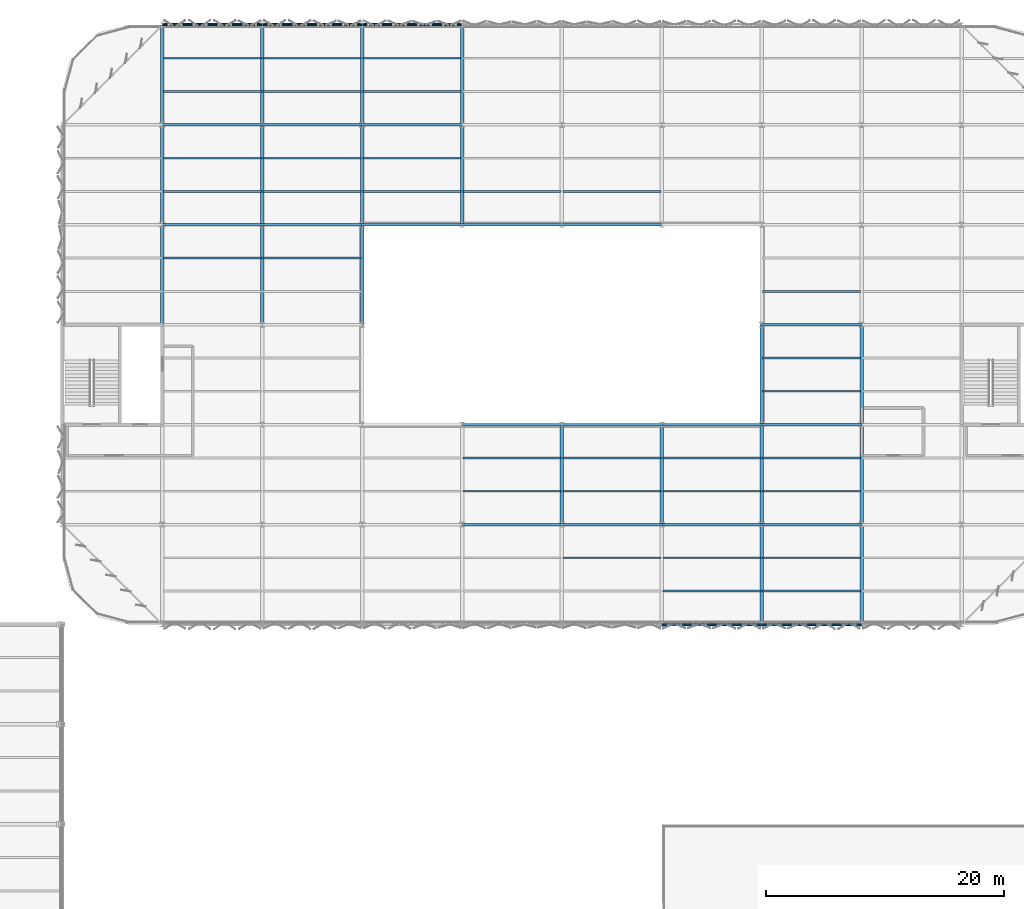
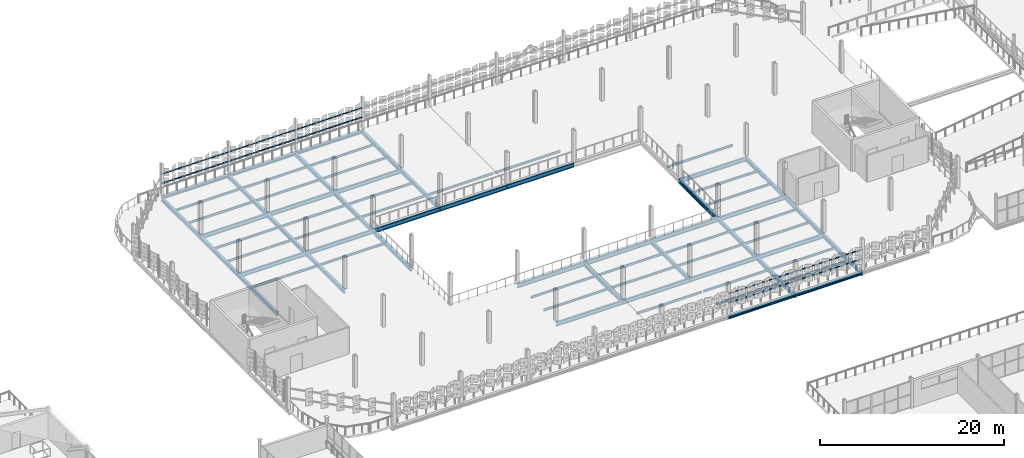
# One storey, part 116 of 184: 83 beams.
"""IFC4 building model written with IfcOpenShell, lengths in metres."""

from ifc_helpers import new_model, si_unit, direction, frame, origin, origin_2d, place, context, subcontext, project, spatial, hollow_rectangle, i_section, extrude, material, material_profile, profile_set, type_object, element, save


model = new_model("IFC4")

# Units and contexts
model_context = context("Model", 3, precision=1e-05, world=origin(), true_north=direction((0.0, 1.0)))
body_context = subcontext(model_context, "Body", "Model", "MODEL_VIEW")
ifc_project = project(units=[si_unit("LENGTHUNIT", "METRE"), si_unit("AREAUNIT", "SQUARE_METRE"), si_unit("VOLUMEUNIT", "CUBIC_METRE"), si_unit("PLANEANGLEUNIT", "RADIAN"), si_unit("MASSUNIT", "GRAM", prefix="KILO")], contexts=[model_context])

# Site, building, storey
site_placement = place(None, origin())
site = spatial("IfcSite", under=ifc_project, at=site_placement, CompositionType="ELEMENT")
building_placement = place(site_placement, origin())
building = spatial("IfcBuilding", under=site, at=building_placement, Name="Qalvenar Corner Mobility Hub", CompositionType="ELEMENT")
storey_placement = place(building_placement, frame((0.0, 0.0, 9.0)))
storey = spatial("IfcBuildingStorey", under=building, at=storey_placement, Name="L02", CompositionType="ELEMENT", Elevation=9.0)

# Beams
ifc_material = material(Name="Steel S355", Category="steel")
ifc_material_profile_1 = material_profile(ifc_material, i_section(OverallWidth=0.300048828125, OverallDepth=0.489990234375, WebThickness=0.011962890625, FlangeThickness=0.02294921875, FilletRadius=0.027099609375, at=origin_2d()), Name="HEA500")
ifc_profile_set_1 = profile_set([ifc_material_profile_1], Name="Steel S355")
beam_type_1 = type_object("IfcBeamType", Name="BM-HEA500", PredefinedType="BEAM", material=ifc_profile_set_1)
beam_1_placement = place(storey_placement, frame((67.199951171875, 92.39990234375, -0.485107421875), z_axis=(0.0, 1.0, 0.0), x_axis=(-1.0, 0.0, 0.0)))
element("IfcBeam", 1, at=beam_1_placement, inside=storey, type_object=beam_type_1, Name="Primary Steel Girder GY-1971", PredefinedType="BEAM", context=body_context, shape_type="SweptSolid", body=[
    extrude(i_section(OverallWidth=0.300048828125, OverallDepth=0.489990234375, WebThickness=0.011962890625, FlangeThickness=0.02294921875, FilletRadius=0.027099609375, at=origin_2d()), origin(), (0.0, 0.0, 1.0), 8.400146484375),
])
beam_2_placement = place(storey_placement, frame((67.199951171875, 100.800048828125, -0.485107421875), z_axis=(0.0, 1.0, 0.0), x_axis=(-1.0, 0.0, 0.0)))
element("IfcBeam", 2, at=beam_2_placement, inside=storey, type_object=beam_type_1, Name="Primary Steel Girder GY-1972", PredefinedType="BEAM", context=body_context, shape_type="SweptSolid", body=[
    extrude(i_section(OverallWidth=0.300048828125, OverallDepth=0.489990234375, WebThickness=0.011962890625, FlangeThickness=0.02294921875, FilletRadius=0.027099609375, at=origin_2d()), origin(), (0.0, 0.0, 1.0), 8.39990234375),
])
for number, where, z_axis, x_axis, name in (
    (3, (67.199951171875, 109.199951171875, -0.485107421875), (0.0, 1.0, 0.0), (-1.0, 0.0, 0.0), "Primary Steel Girder GY-1973"),
    (4, (75.60009765625, 92.39990234375, -0.485107421875), (0.0, 1.0, 0.0), (-1.0, 0.0, 0.0), "Primary Steel Girder GY-1977"),
):
    element("IfcBeam", number, at=place(storey_placement, frame(where, z_axis=z_axis, x_axis=x_axis)), inside=storey, type_object=beam_type_1, Name=name, PredefinedType="BEAM", context=body_context, shape_type="SweptSolid", body=[
        extrude(i_section(OverallWidth=0.300048828125, OverallDepth=0.489990234375, WebThickness=0.011962890625, FlangeThickness=0.02294921875, FilletRadius=0.027099609375, at=origin_2d()), origin(), (0.0, 0.0, 1.0), 8.400146484375),
    ])
beam_3_placement = place(storey_placement, frame((75.60009765625, 100.800048828125, -0.485107421875), z_axis=(0.0, 1.0, 0.0), x_axis=(-1.0, 0.0, 0.0)))
element("IfcBeam", 5, at=beam_3_placement, inside=storey, type_object=beam_type_1, Name="Primary Steel Girder GY-1978", PredefinedType="BEAM", context=body_context, shape_type="SweptSolid", body=[
    extrude(i_section(OverallWidth=0.300048828125, OverallDepth=0.489990234375, WebThickness=0.011962890625, FlangeThickness=0.02294921875, FilletRadius=0.027099609375, at=origin_2d()), origin(), (0.0, 0.0, 1.0), 8.39990234375),
])
for number, where, z_axis, x_axis, name in (
    (6, (75.60009765625, 109.199951171875, -0.485107421875), (0.0, 1.0, 0.0), (-1.0, 0.0, 0.0), "Primary Steel Girder GY-1979"),
    (7, (84.0, 92.39990234375, -0.485107421875), (0.0, 1.0, 0.0), (-1.0, 0.0, 0.0), "Primary Steel Girder GY-1983"),
):
    element("IfcBeam", number, at=place(storey_placement, frame(where, z_axis=z_axis, x_axis=x_axis)), inside=storey, type_object=beam_type_1, Name=name, PredefinedType="BEAM", context=body_context, shape_type="SweptSolid", body=[
        extrude(i_section(OverallWidth=0.300048828125, OverallDepth=0.489990234375, WebThickness=0.011962890625, FlangeThickness=0.02294921875, FilletRadius=0.027099609375, at=origin_2d()), origin(), (0.0, 0.0, 1.0), 8.400146484375),
    ])
beam_4_placement = place(storey_placement, frame((84.0, 100.800048828125, -0.485107421875), z_axis=(0.0, 1.0, 0.0), x_axis=(-1.0, 0.0, 0.0)))
element("IfcBeam", 8, at=beam_4_placement, inside=storey, type_object=beam_type_1, Name="Primary Steel Girder GY-1984", PredefinedType="BEAM", context=body_context, shape_type="SweptSolid", body=[
    extrude(i_section(OverallWidth=0.300048828125, OverallDepth=0.489990234375, WebThickness=0.011962890625, FlangeThickness=0.02294921875, FilletRadius=0.027099609375, at=origin_2d()), origin(), (0.0, 0.0, 1.0), 8.39990234375),
])
beam_5_placement = place(storey_placement, frame((84.0, 109.199951171875, -0.485107421875), z_axis=(0.0, 1.0, 0.0), x_axis=(-1.0, 0.0, 0.0)))
element("IfcBeam", 9, at=beam_5_placement, inside=storey, type_object=beam_type_1, Name="Primary Steel Girder GY-1985", PredefinedType="BEAM", context=body_context, shape_type="SweptSolid", body=[
    extrude(i_section(OverallWidth=0.300048828125, OverallDepth=0.489990234375, WebThickness=0.011962890625, FlangeThickness=0.02294921875, FilletRadius=0.027099609375, at=origin_2d()), origin(), (0.0, 0.0, 1.0), 8.400146484375),
])
beam_6_placement = place(storey_placement, frame((92.39990234375, 100.800048828125, -0.485107421875), z_axis=(0.0, 1.0, 0.0), x_axis=(-1.0, 0.0, 0.0)))
element("IfcBeam", 10, at=beam_6_placement, inside=storey, type_object=beam_type_1, Name="Primary Steel Girder GY-1988", PredefinedType="BEAM", context=body_context, shape_type="SweptSolid", body=[
    extrude(i_section(OverallWidth=0.300048828125, OverallDepth=0.489990234375, WebThickness=0.011962890625, FlangeThickness=0.02294921875, FilletRadius=0.027099609375, at=origin_2d()), origin(), (0.0, 0.0, 1.0), 8.39990234375),
])
beam_7_placement = place(storey_placement, frame((92.39990234375, 109.199951171875, -0.485107421875), z_axis=(0.0, 1.0, 0.0), x_axis=(-1.0, 0.0, 0.0)))
element("IfcBeam", 11, at=beam_7_placement, inside=storey, type_object=beam_type_1, Name="Primary Steel Girder GY-1989", PredefinedType="BEAM", context=body_context, shape_type="SweptSolid", body=[
    extrude(i_section(OverallWidth=0.300048828125, OverallDepth=0.489990234375, WebThickness=0.011962890625, FlangeThickness=0.02294921875, FilletRadius=0.027099609375, at=origin_2d()), origin(), (0.0, 0.0, 1.0), 8.400146484375),
])
for number, where, z_axis, x_axis, name in (
    (12, (100.800048828125, 75.60009765625, -0.485107421875), (0.0, 1.0, 0.0), (-1.0, 0.0, 0.0), "Primary Steel Girder GY-1991"),
    (13, (109.199951171875, 75.60009765625, -0.485107421875), (0.0, 1.0, 0.0), (-1.0, 0.0, 0.0), "Primary Steel Girder GY-1995"),
):
    element("IfcBeam", number, at=place(storey_placement, frame(where, z_axis=z_axis, x_axis=x_axis)), inside=storey, type_object=beam_type_1, Name=name, PredefinedType="BEAM", context=body_context, shape_type="SweptSolid", body=[
        extrude(i_section(OverallWidth=0.300048828125, OverallDepth=0.489990234375, WebThickness=0.011962890625, FlangeThickness=0.02294921875, FilletRadius=0.027099609375, at=origin_2d()), origin(), (0.0, 0.0, 1.0), 8.39990234375),
    ])
beam_8_placement = place(storey_placement, frame((117.60009765625, 67.199951171875, -0.485107421875), z_axis=(0.0, 1.0, 0.0), x_axis=(-1.0, 0.0, 0.0)))
element("IfcBeam", 14, at=beam_8_placement, inside=storey, type_object=beam_type_1, Name="Primary Steel Girder GY-1998", PredefinedType="BEAM", context=body_context, shape_type="SweptSolid", body=[
    extrude(i_section(OverallWidth=0.300048828125, OverallDepth=0.489990234375, WebThickness=0.011962890625, FlangeThickness=0.02294921875, FilletRadius=0.027099609375, at=origin_2d()), origin(), (0.0, 0.0, 1.0), 8.400146484375),
])
for number, where, z_axis, x_axis, name in (
    (15, (117.60009765625, 75.60009765625, -0.485107421875), (0.0, 1.0, 0.0), (-1.0, 0.0, 0.0), "Primary Steel Girder GY-1999"),
    (16, (117.60009765625, 84.0, -0.485107421875), (0.0, 1.0, 0.0), (-1.0, 0.0, 0.0), "Primary Steel Girder GY-2000"),
):
    element("IfcBeam", number, at=place(storey_placement, frame(where, z_axis=z_axis, x_axis=x_axis)), inside=storey, type_object=beam_type_1, Name=name, PredefinedType="BEAM", context=body_context, shape_type="SweptSolid", body=[
        extrude(i_section(OverallWidth=0.300048828125, OverallDepth=0.489990234375, WebThickness=0.011962890625, FlangeThickness=0.02294921875, FilletRadius=0.027099609375, at=origin_2d()), origin(), (0.0, 0.0, 1.0), 8.39990234375),
    ])
beam_9_placement = place(storey_placement, frame((126.0, 67.199951171875, -0.485107421875), z_axis=(0.0, 1.0, 0.0), x_axis=(-1.0, 0.0, 0.0)))
element("IfcBeam", 17, at=beam_9_placement, inside=storey, type_object=beam_type_1, Name="Primary Steel Girder GY-2004", PredefinedType="BEAM", context=body_context, shape_type="SweptSolid", body=[
    extrude(i_section(OverallWidth=0.300048828125, OverallDepth=0.489990234375, WebThickness=0.011962890625, FlangeThickness=0.02294921875, FilletRadius=0.027099609375, at=origin_2d()), origin(), (0.0, 0.0, 1.0), 8.400146484375),
])
for number, where, z_axis, x_axis, name in (
    (18, (126.0, 75.60009765625, -0.485107421875), (0.0, 1.0, 0.0), (-1.0, 0.0, 0.0), "Primary Steel Girder GY-2005"),
    (19, (126.0, 84.0, -0.485107421875), (0.0, 1.0, 0.0), (-1.0, 0.0, 0.0), "Primary Steel Girder GY-2006"),
):
    element("IfcBeam", number, at=place(storey_placement, frame(where, z_axis=z_axis, x_axis=x_axis)), inside=storey, type_object=beam_type_1, Name=name, PredefinedType="BEAM", context=body_context, shape_type="SweptSolid", body=[
        extrude(i_section(OverallWidth=0.300048828125, OverallDepth=0.489990234375, WebThickness=0.011962890625, FlangeThickness=0.02294921875, FilletRadius=0.027099609375, at=origin_2d()), origin(), (0.0, 0.0, 1.0), 8.39990234375),
    ])
ifc_material_profile_2 = material_profile(ifc_material, i_section(OverallWidth=0.2099609375, OverallDepth=0.550048828125, WebThickness=0.010986328125, FlangeThickness=0.01708984375, FilletRadius=0.02392578125, at=origin_2d()), Name="IPE550")
ifc_profile_set_2 = profile_set([ifc_material_profile_2], Name="Steel S355")
beam_type_2 = type_object("IfcBeamType", Name="BM-IPE550", PredefinedType="BEAM", material=ifc_profile_set_2)
beam_10_placement = place(storey_placement, frame((92.39990234375, 75.60009765625, -0.514892578125), z_axis=(1.0, 0.0, 0.0), x_axis=(0.0, 1.0, 0.0)))
element("IfcBeam", 20, at=beam_10_placement, inside=storey, type_object=beam_type_2, Name="Primary Steel Girder GX-1914", PredefinedType="BEAM", context=body_context, shape_type="SweptSolid", body=[
    extrude(i_section(OverallWidth=0.2099609375, OverallDepth=0.550048828125, WebThickness=0.010986328125, FlangeThickness=0.01708984375, FilletRadius=0.02392578125, at=origin_2d()), origin(), (0.0, 0.0, 1.0), 8.400146484375),
])
beam_11_placement = place(storey_placement, frame((100.800048828125, 75.60009765625, -0.514892578125), z_axis=(1.0, 0.0, 0.0), x_axis=(0.0, 1.0, 0.0)))
element("IfcBeam", 21, at=beam_11_placement, inside=storey, type_object=beam_type_2, Name="Primary Steel Girder GX-1915", PredefinedType="BEAM", context=body_context, shape_type="SweptSolid", body=[
    extrude(i_section(OverallWidth=0.2099609375, OverallDepth=0.550048828125, WebThickness=0.010986328125, FlangeThickness=0.01708984375, FilletRadius=0.02392578125, at=origin_2d()), origin(), (0.0, 0.0, 1.0), 8.39990234375),
])
beam_12_placement = place(storey_placement, frame((109.199951171875, 75.60009765625, -0.514892578125), z_axis=(1.0, 0.0, 0.0), x_axis=(0.0, 1.0, 0.0)))
element("IfcBeam", 22, at=beam_12_placement, inside=storey, type_object=beam_type_2, Name="Primary Steel Girder GX-1916", PredefinedType="BEAM", context=body_context, shape_type="SweptSolid", body=[
    extrude(i_section(OverallWidth=0.2099609375, OverallDepth=0.550048828125, WebThickness=0.010986328125, FlangeThickness=0.01708984375, FilletRadius=0.02392578125, at=origin_2d()), origin(), (0.0, 0.0, 1.0), 8.400146484375),
])
beam_13_placement = place(storey_placement, frame((117.60009765625, 75.60009765625, -0.514892578125), z_axis=(1.0, 0.0, 0.0), x_axis=(0.0, 1.0, 0.0)))
element("IfcBeam", 23, at=beam_13_placement, inside=storey, type_object=beam_type_2, Name="Primary Steel Girder GX-1917", PredefinedType="BEAM", context=body_context, shape_type="SweptSolid", body=[
    extrude(i_section(OverallWidth=0.2099609375, OverallDepth=0.550048828125, WebThickness=0.010986328125, FlangeThickness=0.01708984375, FilletRadius=0.02392578125, at=origin_2d()), origin(), (0.0, 0.0, 1.0), 8.39990234375),
])
beam_14_placement = place(storey_placement, frame((92.39990234375, 84.0, -0.514892578125), z_axis=(1.0, 0.0, 0.0), x_axis=(0.0, 1.0, 0.0)))
element("IfcBeam", 24, at=beam_14_placement, inside=storey, type_object=beam_type_2, Name="Primary Steel Girder GX-1924", PredefinedType="BEAM", context=body_context, shape_type="SweptSolid", body=[
    extrude(i_section(OverallWidth=0.2099609375, OverallDepth=0.550048828125, WebThickness=0.010986328125, FlangeThickness=0.01708984375, FilletRadius=0.02392578125, at=origin_2d()), origin(), (0.0, 0.0, 1.0), 8.400146484375),
])
beam_15_placement = place(storey_placement, frame((100.800048828125, 84.0, -0.514892578125), z_axis=(1.0, 0.0, 0.0), x_axis=(0.0, 1.0, 0.0)))
element("IfcBeam", 25, at=beam_15_placement, inside=storey, type_object=beam_type_2, Name="Primary Steel Girder GX-1925", PredefinedType="BEAM", context=body_context, shape_type="SweptSolid", body=[
    extrude(i_section(OverallWidth=0.2099609375, OverallDepth=0.550048828125, WebThickness=0.010986328125, FlangeThickness=0.01708984375, FilletRadius=0.02392578125, at=origin_2d()), origin(), (0.0, 0.0, 1.0), 8.39990234375),
])
beam_16_placement = place(storey_placement, frame((109.199951171875, 84.0, -0.514892578125), z_axis=(1.0, 0.0, 0.0), x_axis=(0.0, 1.0, 0.0)))
element("IfcBeam", 26, at=beam_16_placement, inside=storey, type_object=beam_type_2, Name="Primary Steel Girder GX-1926", PredefinedType="BEAM", context=body_context, shape_type="SweptSolid", body=[
    extrude(i_section(OverallWidth=0.2099609375, OverallDepth=0.550048828125, WebThickness=0.010986328125, FlangeThickness=0.01708984375, FilletRadius=0.02392578125, at=origin_2d()), origin(), (0.0, 0.0, 1.0), 8.400146484375),
])
for number, where, z_axis, x_axis, name in (
    (27, (117.60009765625, 84.0, -0.514892578125), (1.0, 0.0, 0.0), (0.0, 1.0, 0.0), "Primary Steel Girder GX-1927"),
    (28, (117.60009765625, 92.39990234375, -0.514892578125), (1.0, 0.0, 0.0), (0.0, 1.0, 0.0), "Primary Steel Girder GX-1933"),
):
    element("IfcBeam", number, at=place(storey_placement, frame(where, z_axis=z_axis, x_axis=x_axis)), inside=storey, type_object=beam_type_2, Name=name, PredefinedType="BEAM", context=body_context, shape_type="SweptSolid", body=[
        extrude(i_section(OverallWidth=0.2099609375, OverallDepth=0.550048828125, WebThickness=0.010986328125, FlangeThickness=0.01708984375, FilletRadius=0.02392578125, at=origin_2d()), origin(), (0.0, 0.0, 1.0), 8.39990234375),
    ])
beam_17_placement = place(storey_placement, frame((67.199951171875, 100.800048828125, -0.514892578125), z_axis=(1.0, 0.0, 0.0), x_axis=(0.0, 1.0, 0.0)))
element("IfcBeam", 29, at=beam_17_placement, inside=storey, type_object=beam_type_2, Name="Primary Steel Girder GX-1937", PredefinedType="BEAM", context=body_context, shape_type="SweptSolid", body=[
    extrude(i_section(OverallWidth=0.2099609375, OverallDepth=0.550048828125, WebThickness=0.010986328125, FlangeThickness=0.01708984375, FilletRadius=0.02392578125, at=origin_2d()), origin(), (0.0, 0.0, 1.0), 8.400146484375),
])
for number, where, z_axis, x_axis, name in (
    (30, (75.60009765625, 100.800048828125, -0.514892578125), (1.0, 0.0, 0.0), (0.0, 1.0, 0.0), "Primary Steel Girder GX-1938"),
    (31, (84.0, 100.800048828125, -0.514892578125), (1.0, 0.0, 0.0), (0.0, 1.0, 0.0), "Primary Steel Girder GX-1939"),
):
    element("IfcBeam", number, at=place(storey_placement, frame(where, z_axis=z_axis, x_axis=x_axis)), inside=storey, type_object=beam_type_2, Name=name, PredefinedType="BEAM", context=body_context, shape_type="SweptSolid", body=[
        extrude(i_section(OverallWidth=0.2099609375, OverallDepth=0.550048828125, WebThickness=0.010986328125, FlangeThickness=0.01708984375, FilletRadius=0.02392578125, at=origin_2d()), origin(), (0.0, 0.0, 1.0), 8.39990234375),
    ])
beam_18_placement = place(storey_placement, frame((92.39990234375, 100.800048828125, -0.514892578125), z_axis=(1.0, 0.0, 0.0), x_axis=(0.0, 1.0, 0.0)))
element("IfcBeam", 32, at=beam_18_placement, inside=storey, type_object=beam_type_2, Name="Primary Steel Girder GX-1940", PredefinedType="BEAM", context=body_context, shape_type="SweptSolid", body=[
    extrude(i_section(OverallWidth=0.2099609375, OverallDepth=0.550048828125, WebThickness=0.010986328125, FlangeThickness=0.01708984375, FilletRadius=0.02392578125, at=origin_2d()), origin(), (0.0, 0.0, 1.0), 8.400146484375),
])
beam_19_placement = place(storey_placement, frame((100.800048828125, 100.800048828125, -0.514892578125), z_axis=(1.0, 0.0, 0.0), x_axis=(0.0, 1.0, 0.0)))
element("IfcBeam", 33, at=beam_19_placement, inside=storey, type_object=beam_type_2, Name="Primary Steel Girder GX-1941", PredefinedType="BEAM", context=body_context, shape_type="SweptSolid", body=[
    extrude(i_section(OverallWidth=0.2099609375, OverallDepth=0.550048828125, WebThickness=0.010986328125, FlangeThickness=0.01708984375, FilletRadius=0.02392578125, at=origin_2d()), origin(), (0.0, 0.0, 1.0), 8.39990234375),
])
beam_20_placement = place(storey_placement, frame((67.199951171875, 109.199951171875, -0.514892578125), z_axis=(1.0, 0.0, 0.0), x_axis=(0.0, 1.0, 0.0)))
element("IfcBeam", 34, at=beam_20_placement, inside=storey, type_object=beam_type_2, Name="Primary Steel Girder GX-1947", PredefinedType="BEAM", context=body_context, shape_type="SweptSolid", body=[
    extrude(i_section(OverallWidth=0.2099609375, OverallDepth=0.550048828125, WebThickness=0.010986328125, FlangeThickness=0.01708984375, FilletRadius=0.02392578125, at=origin_2d()), origin(), (0.0, 0.0, 1.0), 8.400146484375),
])
for number, where, z_axis, x_axis, name in (
    (35, (75.60009765625, 109.199951171875, -0.514892578125), (1.0, 0.0, 0.0), (0.0, 1.0, 0.0), "Primary Steel Girder GX-1948"),
    (36, (84.0, 109.199951171875, -0.514892578125), (1.0, 0.0, 0.0), (0.0, 1.0, 0.0), "Primary Steel Girder GX-1949"),
):
    element("IfcBeam", number, at=place(storey_placement, frame(where, z_axis=z_axis, x_axis=x_axis)), inside=storey, type_object=beam_type_2, Name=name, PredefinedType="BEAM", context=body_context, shape_type="SweptSolid", body=[
        extrude(i_section(OverallWidth=0.2099609375, OverallDepth=0.550048828125, WebThickness=0.010986328125, FlangeThickness=0.01708984375, FilletRadius=0.02392578125, at=origin_2d()), origin(), (0.0, 0.0, 1.0), 8.39990234375),
    ])
ifc_material_profile_3 = material_profile(ifc_material, i_section(OverallWidth=0.14990234375, OverallDepth=0.300048828125, WebThickness=0.007080078125, FlangeThickness=0.0107421875, FilletRadius=0.014892578125, at=origin_2d()), Name="IPE300")
ifc_profile_set_3 = profile_set([ifc_material_profile_3], Name="Steel S355")
beam_type_3 = type_object("IfcBeamType", Name="BM-JST300", PredefinedType="JOIST", material=ifc_profile_set_3)
for number, where, z_axis, x_axis, name in (
    (37, (67.278076171875, 98.0, -0.389892578125), (1.0, 0.0, 0.0), (0.0, 1.0, 0.0), "Composite Floor Joist J-2033"),
    (38, (67.278076171875, 103.60009765625, -0.389892578125), (1.0, 0.0, 0.0), (0.0, 1.0, 0.0), "Composite Floor Joist J-2034"),
    (39, (67.278076171875, 106.39990234375, -0.389892578125), (1.0, 0.0, 0.0), (0.0, 1.0, 0.0), "Composite Floor Joist J-2035"),
    (40, (67.278076171875, 112.0, -0.389892578125), (1.0, 0.0, 0.0), (0.0, 1.0, 0.0), "Composite Floor Joist J-2036"),
    (41, (67.278076171875, 114.800048828125, -0.389892578125), (1.0, 0.0, 0.0), (0.0, 1.0, 0.0), "Composite Floor Joist J-2037"),
):
    element("IfcBeam", number, at=place(storey_placement, frame(where, z_axis=z_axis, x_axis=x_axis)), inside=storey, type_object=beam_type_3, Name=name, PredefinedType="JOIST", context=body_context, shape_type="SweptSolid", body=[
        extrude(i_section(OverallWidth=0.14990234375, OverallDepth=0.300048828125, WebThickness=0.007080078125, FlangeThickness=0.0107421875, FilletRadius=0.014892578125, at=origin_2d()), origin(), (0.0, 0.0, 1.0), 8.243896484375),
    ])
for number, where, z_axis, x_axis, name in (
    (42, (75.677978515625, 98.0, -0.389892578125), (1.0, 0.0, 0.0), (0.0, 1.0, 0.0), "Composite Floor Joist J-2045"),
    (43, (75.677978515625, 103.60009765625, -0.389892578125), (1.0, 0.0, 0.0), (0.0, 1.0, 0.0), "Composite Floor Joist J-2046"),
    (44, (75.677978515625, 106.39990234375, -0.389892578125), (1.0, 0.0, 0.0), (0.0, 1.0, 0.0), "Composite Floor Joist J-2047"),
    (45, (75.677978515625, 112.0, -0.389892578125), (1.0, 0.0, 0.0), (0.0, 1.0, 0.0), "Composite Floor Joist J-2048"),
    (46, (75.677978515625, 114.800048828125, -0.389892578125), (1.0, 0.0, 0.0), (0.0, 1.0, 0.0), "Composite Floor Joist J-2049"),
    (47, (84.077880859375, 103.60009765625, -0.389892578125), (1.0, 0.0, 0.0), (0.0, 1.0, 0.0), "Composite Floor Joist J-2054"),
    (48, (84.077880859375, 106.39990234375, -0.389892578125), (1.0, 0.0, 0.0), (0.0, 1.0, 0.0), "Composite Floor Joist J-2055"),
    (49, (84.077880859375, 112.0, -0.389892578125), (1.0, 0.0, 0.0), (0.0, 1.0, 0.0), "Composite Floor Joist J-2056"),
    (50, (84.077880859375, 114.800048828125, -0.389892578125), (1.0, 0.0, 0.0), (0.0, 1.0, 0.0), "Composite Floor Joist J-2057"),
):
    element("IfcBeam", number, at=place(storey_placement, frame(where, z_axis=z_axis, x_axis=x_axis)), inside=storey, type_object=beam_type_3, Name=name, PredefinedType="JOIST", context=body_context, shape_type="SweptSolid", body=[
        extrude(i_section(OverallWidth=0.14990234375, OverallDepth=0.300048828125, WebThickness=0.007080078125, FlangeThickness=0.0107421875, FilletRadius=0.014892578125, at=origin_2d()), origin(), (0.0, 0.0, 1.0), 8.244140625),
    ])
for number, where, z_axis, x_axis, name in (
    (51, (92.47802734375, 78.39990234375, -0.389892578125), (1.0, 0.0, 0.0), (0.0, 1.0, 0.0), "Composite Floor Joist J-2060"),
    (52, (92.47802734375, 81.199951171875, -0.389892578125), (1.0, 0.0, 0.0), (0.0, 1.0, 0.0), "Composite Floor Joist J-2061"),
    (53, (92.47802734375, 103.60009765625, -0.389892578125), (1.0, 0.0, 0.0), (0.0, 1.0, 0.0), "Composite Floor Joist J-2062"),
):
    element("IfcBeam", number, at=place(storey_placement, frame(where, z_axis=z_axis, x_axis=x_axis)), inside=storey, type_object=beam_type_3, Name=name, PredefinedType="JOIST", context=body_context, shape_type="SweptSolid", body=[
        extrude(i_section(OverallWidth=0.14990234375, OverallDepth=0.300048828125, WebThickness=0.007080078125, FlangeThickness=0.0107421875, FilletRadius=0.014892578125, at=origin_2d()), origin(), (0.0, 0.0, 1.0), 8.243896484375),
    ])
for number, where, z_axis, x_axis, name in (
    (54, (100.8779296875, 72.800048828125, -0.389892578125), (1.0, 0.0, 0.0), (0.0, 1.0, 0.0), "Composite Floor Joist J-2067"),
    (55, (100.8779296875, 78.39990234375, -0.389892578125), (1.0, 0.0, 0.0), (0.0, 1.0, 0.0), "Composite Floor Joist J-2068"),
    (56, (100.8779296875, 81.199951171875, -0.389892578125), (1.0, 0.0, 0.0), (0.0, 1.0, 0.0), "Composite Floor Joist J-2069"),
    (57, (100.8779296875, 103.60009765625, -0.389892578125), (1.0, 0.0, 0.0), (0.0, 1.0, 0.0), "Composite Floor Joist J-2070"),
):
    element("IfcBeam", number, at=place(storey_placement, frame(where, z_axis=z_axis, x_axis=x_axis)), inside=storey, type_object=beam_type_3, Name=name, PredefinedType="JOIST", context=body_context, shape_type="SweptSolid", body=[
        extrude(i_section(OverallWidth=0.14990234375, OverallDepth=0.300048828125, WebThickness=0.007080078125, FlangeThickness=0.0107421875, FilletRadius=0.014892578125, at=origin_2d()), origin(), (0.0, 0.0, 1.0), 8.244140625),
    ])
for number, where, z_axis, x_axis, name in (
    (58, (109.278076171875, 70.0, -0.389892578125), (1.0, 0.0, 0.0), (0.0, 1.0, 0.0), "Composite Floor Joist J-2074"),
    (59, (109.278076171875, 72.800048828125, -0.389892578125), (1.0, 0.0, 0.0), (0.0, 1.0, 0.0), "Composite Floor Joist J-2075"),
    (60, (109.278076171875, 78.39990234375, -0.389892578125), (1.0, 0.0, 0.0), (0.0, 1.0, 0.0), "Composite Floor Joist J-2076"),
    (61, (109.278076171875, 81.199951171875, -0.389892578125), (1.0, 0.0, 0.0), (0.0, 1.0, 0.0), "Composite Floor Joist J-2077"),
):
    element("IfcBeam", number, at=place(storey_placement, frame(where, z_axis=z_axis, x_axis=x_axis)), inside=storey, type_object=beam_type_3, Name=name, PredefinedType="JOIST", context=body_context, shape_type="SweptSolid", body=[
        extrude(i_section(OverallWidth=0.14990234375, OverallDepth=0.300048828125, WebThickness=0.007080078125, FlangeThickness=0.0107421875, FilletRadius=0.014892578125, at=origin_2d()), origin(), (0.0, 0.0, 1.0), 8.243896484375),
    ])
for number, where, z_axis, x_axis, name in (
    (62, (117.677978515625, 70.0, -0.389892578125), (1.0, 0.0, 0.0), (0.0, 1.0, 0.0), "Composite Floor Joist J-2082"),
    (63, (117.677978515625, 72.800048828125, -0.389892578125), (1.0, 0.0, 0.0), (0.0, 1.0, 0.0), "Composite Floor Joist J-2083"),
    (64, (117.677978515625, 78.39990234375, -0.389892578125), (1.0, 0.0, 0.0), (0.0, 1.0, 0.0), "Composite Floor Joist J-2084"),
    (65, (117.677978515625, 81.199951171875, -0.389892578125), (1.0, 0.0, 0.0), (0.0, 1.0, 0.0), "Composite Floor Joist J-2085"),
    (66, (117.677978515625, 86.800048828125, -0.389892578125), (1.0, 0.0, 0.0), (0.0, 1.0, 0.0), "Composite Floor Joist J-2086"),
    (67, (117.677978515625, 89.60009765625, -0.389892578125), (1.0, 0.0, 0.0), (0.0, 1.0, 0.0), "Composite Floor Joist J-2087"),
    (68, (117.677978515625, 95.199951171875, -0.389892578125), (1.0, 0.0, 0.0), (0.0, 1.0, 0.0), "Composite Floor Joist J-2088"),
):
    element("IfcBeam", number, at=place(storey_placement, frame(where, z_axis=z_axis, x_axis=x_axis)), inside=storey, type_object=beam_type_3, Name=name, PredefinedType="JOIST", context=body_context, shape_type="SweptSolid", body=[
        extrude(i_section(OverallWidth=0.14990234375, OverallDepth=0.300048828125, WebThickness=0.007080078125, FlangeThickness=0.0107421875, FilletRadius=0.014892578125, at=origin_2d()), origin(), (0.0, 0.0, 1.0), 8.244140625),
    ])
ifc_material_profile_4 = material_profile(ifc_material, i_section(OverallWidth=0.300048828125, OverallDepth=0.31005859375, WebThickness=0.009033203125, FlangeThickness=0.015380859375, FilletRadius=0.027099609375, at=origin_2d()), Name="HEA320")
ifc_profile_set_4 = profile_set([ifc_material_profile_4], Name="Steel S355")
beam_type_4 = type_object("IfcBeamType", Name="BM-SPN320", PredefinedType="SPANDREL", material=ifc_profile_set_4)
beam_21_placement = place(storey_placement, frame((109.199951171875, 67.199951171875, -0.39501953125), z_axis=(1.0, 0.0, 0.0), x_axis=(0.0, 1.0, 0.0)))
element("IfcBeam", 69, at=beam_21_placement, inside=storey, type_object=beam_type_4, Name="Primary Steel Girder GX-1907", PredefinedType="SPANDREL", context=body_context, shape_type="SweptSolid", body=[
    extrude(i_section(OverallWidth=0.300048828125, OverallDepth=0.31005859375, WebThickness=0.009033203125, FlangeThickness=0.015380859375, FilletRadius=0.027099609375, at=origin_2d()), origin(), (0.0, 0.0, 1.0), 8.400146484375),
])
beam_22_placement = place(storey_placement, frame((117.60009765625, 67.199951171875, -0.39501953125), z_axis=(1.0, 0.0, 0.0), x_axis=(0.0, 1.0, 0.0)))
element("IfcBeam", 70, at=beam_22_placement, inside=storey, type_object=beam_type_4, Name="Primary Steel Girder GX-1908", PredefinedType="SPANDREL", context=body_context, shape_type="SweptSolid", body=[
    extrude(i_section(OverallWidth=0.300048828125, OverallDepth=0.31005859375, WebThickness=0.009033203125, FlangeThickness=0.015380859375, FilletRadius=0.027099609375, at=origin_2d()), origin(), (0.0, 0.0, 1.0), 8.39990234375),
])
beam_23_placement = place(storey_placement, frame((67.199951171875, 117.60009765625, -0.39501953125), z_axis=(1.0, 0.0, 0.0), x_axis=(0.0, 1.0, 0.0)))
element("IfcBeam", 71, at=beam_23_placement, inside=storey, type_object=beam_type_4, Name="Primary Steel Girder GX-1956", PredefinedType="SPANDREL", context=body_context, shape_type="SweptSolid", body=[
    extrude(i_section(OverallWidth=0.300048828125, OverallDepth=0.31005859375, WebThickness=0.009033203125, FlangeThickness=0.015380859375, FilletRadius=0.027099609375, at=origin_2d()), origin(), (0.0, 0.0, 1.0), 8.400146484375),
])
for number, where, z_axis, x_axis, name in (
    (72, (75.60009765625, 117.60009765625, -0.39501953125), (1.0, 0.0, 0.0), (0.0, 1.0, 0.0), "Primary Steel Girder GX-1957"),
    (73, (84.0, 117.60009765625, -0.39501953125), (1.0, 0.0, 0.0), (0.0, 1.0, 0.0), "Primary Steel Girder GX-1958"),
):
    element("IfcBeam", number, at=place(storey_placement, frame(where, z_axis=z_axis, x_axis=x_axis)), inside=storey, type_object=beam_type_4, Name=name, PredefinedType="SPANDREL", context=body_context, shape_type="SweptSolid", body=[
        extrude(i_section(OverallWidth=0.300048828125, OverallDepth=0.31005859375, WebThickness=0.009033203125, FlangeThickness=0.015380859375, FilletRadius=0.027099609375, at=origin_2d()), origin(), (0.0, 0.0, 1.0), 8.39990234375),
    ])
ifc_material_profile_5 = material_profile(ifc_material, hollow_rectangle(XDim=0.080078125, YDim=0.139892578125, WallThickness=0.0048828125, InnerFilletRadius=0.0048828125, OuterFilletRadius=0.010009765625, at=origin_2d()), Name="RHS140x80x5")
ifc_profile_set_5 = profile_set([ifc_material_profile_5], Name="Steel S355")
beam_type_5 = type_object("IfcBeamType", Name="FR-RAIL140", PredefinedType="SPANDREL", material=ifc_profile_set_5)
beam_24_placement = place(storey_placement, frame((109.199951171875, 67.199951171875, 2.75), z_axis=(1.0, 0.0, 0.0), x_axis=(0.0, 1.0, 0.0)))
element("IfcBeam", 74, at=beam_24_placement, inside=storey, type_object=beam_type_5, Name="Facade Hinge Support Rail FR-L02-0060", PredefinedType="SPANDREL", context=body_context, shape_type="SweptSolid", body=[
    extrude(hollow_rectangle(XDim=0.080078125, YDim=0.139892578125, WallThickness=0.0048828125, InnerFilletRadius=0.0048828125, OuterFilletRadius=0.010009765625, at=origin_2d()), origin(), (0.0, 0.0, 1.0), 8.400146484375),
])
for number, where, z_axis, x_axis, name in (
    (75, (117.60009765625, 67.199951171875, 2.75), (1.0, 0.0, 0.0), (0.0, 1.0, 0.0), "Facade Hinge Support Rail FR-L02-0062"),
    (76, (92.39990234375, 117.60009765625, 2.75), (-1.0, 0.0, 0.0), (0.0, -1.0, 0.0), "Facade Hinge Support Rail FR-L02-0076"),
    (77, (84.0, 117.60009765625, 2.75), (-1.0, 0.0, 0.0), (0.0, -1.0, 0.0), "Facade Hinge Support Rail FR-L02-0078"),
):
    element("IfcBeam", number, at=place(storey_placement, frame(where, z_axis=z_axis, x_axis=x_axis)), inside=storey, type_object=beam_type_5, Name=name, PredefinedType="SPANDREL", context=body_context, shape_type="SweptSolid", body=[
        extrude(hollow_rectangle(XDim=0.080078125, YDim=0.139892578125, WallThickness=0.0048828125, InnerFilletRadius=0.0048828125, OuterFilletRadius=0.010009765625, at=origin_2d()), origin(), (0.0, 0.0, 1.0), 8.39990234375),
    ])
beam_25_placement = place(storey_placement, frame((75.60009765625, 117.60009765625, 2.75), z_axis=(-1.0, 0.0, 0.0), x_axis=(0.0, -1.0, 0.0)))
element("IfcBeam", 78, at=beam_25_placement, inside=storey, type_object=beam_type_5, Name="Facade Hinge Support Rail FR-L02-0080", PredefinedType="SPANDREL", context=body_context, shape_type="SweptSolid", body=[
    extrude(hollow_rectangle(XDim=0.080078125, YDim=0.139892578125, WallThickness=0.0048828125, InnerFilletRadius=0.0048828125, OuterFilletRadius=0.010009765625, at=origin_2d()), origin(), (0.0, 0.0, 1.0), 8.400146484375),
])
ifc_material_profile_6 = material_profile(ifc_material, hollow_rectangle(XDim=0.090087890625, YDim=0.159912109375, WallThickness=0.00634765625, InnerFilletRadius=0.00634765625, OuterFilletRadius=0.0126953125, at=origin_2d()), Name="RHS160x90x6.3")
ifc_profile_set_6 = profile_set([ifc_material_profile_6], Name="Steel S355")
beam_type_6 = type_object("IfcBeamType", Name="FR-RAIL160", PredefinedType="SPANDREL", material=ifc_profile_set_6)
beam_26_placement = place(storey_placement, frame((109.199951171875, 67.199951171875, 1.5), z_axis=(1.0, 0.0, 0.0), x_axis=(0.0, 1.0, 0.0)))
element("IfcBeam", 79, at=beam_26_placement, inside=storey, type_object=beam_type_6, Name="Facade Hinge Support Rail FR-L02-0059", PredefinedType="SPANDREL", context=body_context, shape_type="SweptSolid", body=[
    extrude(hollow_rectangle(XDim=0.090087890625, YDim=0.159912109375, WallThickness=0.00634765625, InnerFilletRadius=0.00634765625, OuterFilletRadius=0.0126953125, at=origin_2d()), origin(), (0.0, 0.0, 1.0), 8.400146484375),
])
for number, where, z_axis, x_axis, name in (
    (80, (117.60009765625, 67.199951171875, 1.5), (1.0, 0.0, 0.0), (0.0, 1.0, 0.0), "Facade Hinge Support Rail FR-L02-0061"),
    (81, (92.39990234375, 117.60009765625, 1.5), (-1.0, 0.0, 0.0), (0.0, -1.0, 0.0), "Facade Hinge Support Rail FR-L02-0075"),
    (82, (84.0, 117.60009765625, 1.5), (-1.0, 0.0, 0.0), (0.0, -1.0, 0.0), "Facade Hinge Support Rail FR-L02-0077"),
):
    element("IfcBeam", number, at=place(storey_placement, frame(where, z_axis=z_axis, x_axis=x_axis)), inside=storey, type_object=beam_type_6, Name=name, PredefinedType="SPANDREL", context=body_context, shape_type="SweptSolid", body=[
        extrude(hollow_rectangle(XDim=0.090087890625, YDim=0.159912109375, WallThickness=0.00634765625, InnerFilletRadius=0.00634765625, OuterFilletRadius=0.0126953125, at=origin_2d()), origin(), (0.0, 0.0, 1.0), 8.39990234375),
    ])
beam_27_placement = place(storey_placement, frame((75.60009765625, 117.60009765625, 1.5), z_axis=(-1.0, 0.0, 0.0), x_axis=(0.0, -1.0, 0.0)))
element("IfcBeam", 83, at=beam_27_placement, inside=storey, type_object=beam_type_6, Name="Facade Hinge Support Rail FR-L02-0079", PredefinedType="SPANDREL", context=body_context, shape_type="SweptSolid", body=[
    extrude(hollow_rectangle(XDim=0.090087890625, YDim=0.159912109375, WallThickness=0.00634765625, InnerFilletRadius=0.00634765625, OuterFilletRadius=0.0126953125, at=origin_2d()), origin(), (0.0, 0.0, 1.0), 8.400146484375),
])

save(model, "model.ifc")
